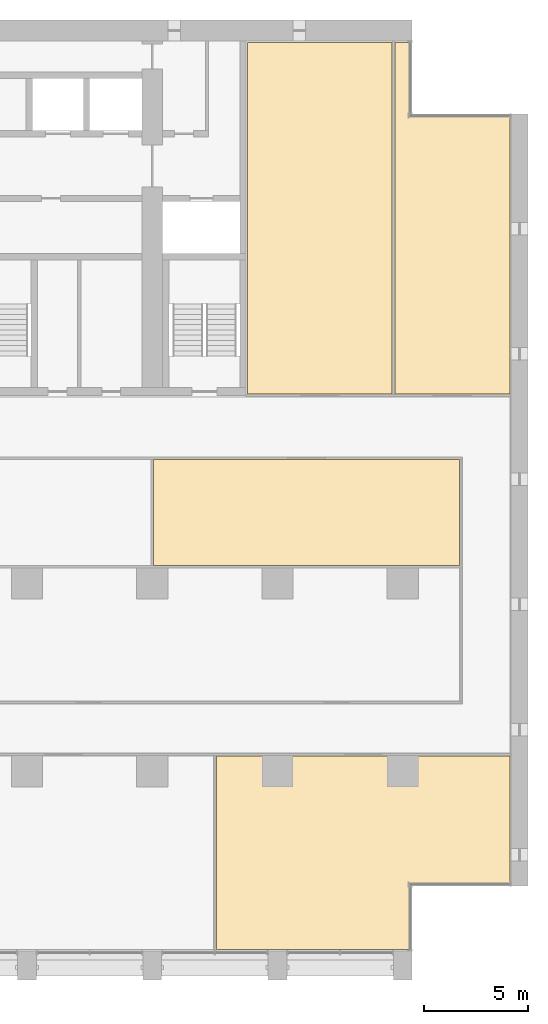
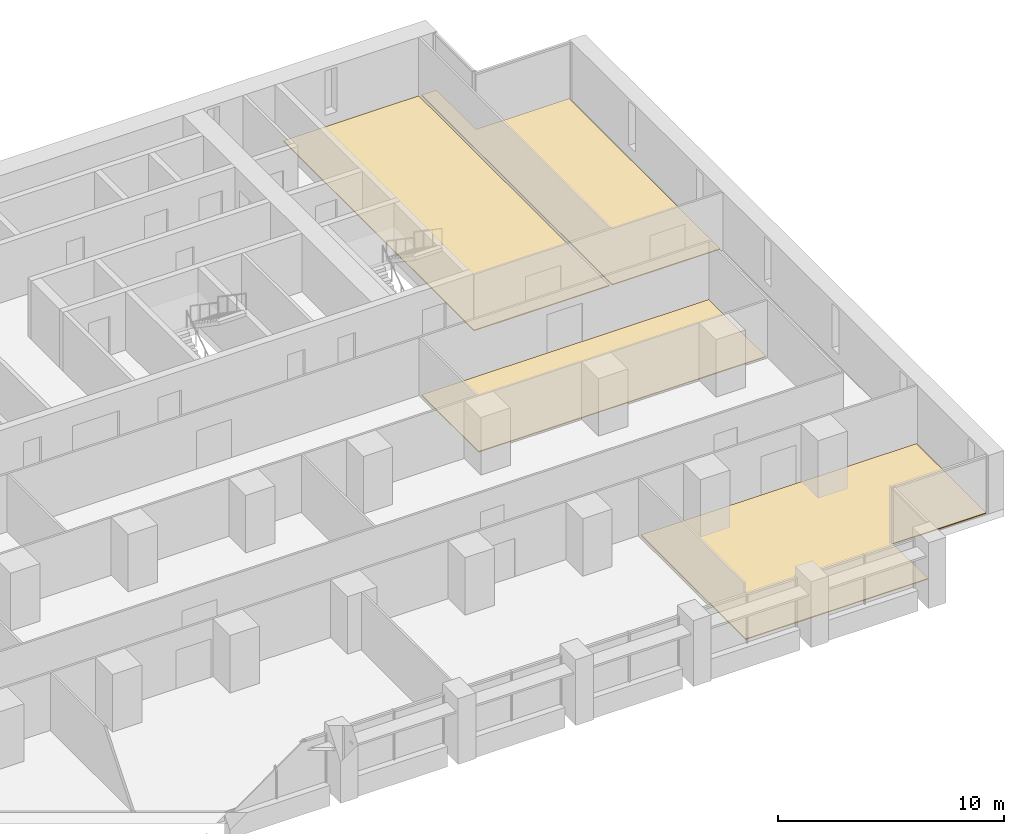
# One storey, part 18 of 18: 4 coverings.
"""IFC4 building model written with IfcOpenShell, lengths in metres."""

import ifcopenshell
import ifcopenshell.guid

model = None  # the IFC model being written
_history = None  # IfcOwnerHistory: only IFC2X3 demands one
_inside = {}  # id of a spatial element -> (the spatial element, [elements in it])
_under = {}  # id of a project, library or spatial element -> (it, [spatial elements below it])
_declared = {}  # id of a project -> (the project, [libraries it declares])
_typed = {}  # id of a type object -> (the type object, [elements of that type])
_made_of = {}  # id of a material, layer set ... -> (it, [elements and type objects made of it])


def new_model(schema):
    """Start an empty IFC model of exactly this schema.

    Asked for "IFC4X3", IfcOpenShell would pick the latest addendum, in which some entities
    have other attributes; the version numbers below select the first issue.
    IFC2X3 requires an IfcOwnerHistory on every rooted entity: one is made here for all.
    """
    global model, _history
    if schema == "IFC4X3":
        model = ifcopenshell.file(schema_version=(4, 3, 0, 0))
    else:
        model = ifcopenshell.file(schema=schema)
    _inside.clear()
    _under.clear()
    _declared.clear()
    _typed.clear()
    _made_of.clear()
    _history = None
    if model.schema == "IFC2X3":
        org = make("IfcOrganization", Name="unknown")
        user = make(
            "IfcPersonAndOrganization",
            ThePerson=make("IfcPerson", FamilyName="unknown"),
            TheOrganization=org,
        )
        app = make(
            "IfcApplication",
            ApplicationDeveloper=org,
            Version="unknown",
            ApplicationFullName="unknown",
            ApplicationIdentifier="unknown",
        )
        _history = make(
            "IfcOwnerHistory",
            OwningUser=user,
            OwningApplication=app,
            ChangeAction="ADDED",
            CreationDate=0,
        )
    return model


def make(cls, **values):
    """One entity of the class cls with the attributes given. An attribute that is None is left unset."""
    return model.create_entity(
        cls, **{name: value for name, value in values.items() if value is not None}
    )


def rooted(cls, **values):
    """An entity with a GlobalId (a new one), such as an element, a storey or a relation."""
    return make(cls, GlobalId=ifcopenshell.guid.new(), OwnerHistory=_history, **values)


def si_unit(unit_type, name, prefix=None):
    """IfcSIUnit, for example si_unit("LENGTHUNIT", "METRE", prefix="MILLI")."""
    return make("IfcSIUnit", UnitType=unit_type, Prefix=prefix, Name=name)


def assignment(units):
    """IfcUnitAssignment: the units of a project."""
    return None if units is None else make("IfcUnitAssignment", Units=units)


def point(xyz):
    """IfcCartesianPoint."""
    return None if xyz is None else make("IfcCartesianPoint", Coordinates=xyz)


def direction(xyz):
    """IfcDirection."""
    return None if xyz is None else make("IfcDirection", DirectionRatios=xyz)


def frame(location, z_axis=None, x_axis=None):
    """IfcAxis2Placement3D, a coordinate frame: its origin and axes. An axis left out is left unset."""
    return make(
        "IfcAxis2Placement3D",
        Location=point(location),
        Axis=direction(z_axis),
        RefDirection=direction(x_axis),
    )


def origin():
    """The frame at (0, 0, 0) with its axes left unset."""
    return frame((0.0, 0.0, 0.0))


def place(relative_to, where):
    """IfcLocalPlacement: puts the frame where relative to a parent placement (None: the world)."""
    return make(
        "IfcLocalPlacement", PlacementRelTo=relative_to, RelativePlacement=where
    )


def context(
    kind, dimensions, precision=None, world=None, true_north=None, identifier=None
):
    """IfcGeometricRepresentationContext, for example the 3D "Model" context."""
    return make(
        "IfcGeometricRepresentationContext",
        ContextIdentifier=identifier,
        ContextType=kind,
        CoordinateSpaceDimension=dimensions,
        Precision=precision,
        WorldCoordinateSystem=world,
        TrueNorth=true_north,
    )


def subcontext(parent, identifier, kind, view, scale=None):
    """IfcGeometricRepresentationSubContext, for example "Body" below "Model"."""
    return make(
        "IfcGeometricRepresentationSubContext",
        ContextIdentifier=identifier,
        ContextType=kind,
        ParentContext=parent,
        TargetScale=scale,
        TargetView=view,
    )


def project(units=None, contexts=None):
    """IfcProject with its units and contexts."""
    return rooted(
        "IfcProject",
        Name="project",
        RepresentationContexts=contexts,
        UnitsInContext=assignment(units),
    )


def spatial(cls, under=None, at=None, **own):
    """A site, building, storey or space (cls), placed at a placement, below another one or the project."""
    s = rooted(cls, ObjectPlacement=at, **own)
    if under is not None:
        _under.setdefault(under.id(), (under, []))[1].append(s)
    return s


def polyline(points):
    """IfcPolyline through the points."""
    return make("IfcPolyline", Points=[point(p) for p in points])


def outline(outer, holes=None, kind="AREA"):
    """IfcArbitraryClosedProfileDef: a profile drawn as a closed curve; with holes, ...WithVoids."""
    if holes is None:
        return make("IfcArbitraryClosedProfileDef", ProfileType=kind, OuterCurve=outer)
    return make(
        "IfcArbitraryProfileDefWithVoids",
        ProfileType=kind,
        OuterCurve=outer,
        InnerCurves=holes,
    )


def extrude(swept, where, along, depth):
    """IfcExtrudedAreaSolid: the profile swept, set in the frame where, extruded along a direction by depth."""
    return make(
        "IfcExtrudedAreaSolid",
        SweptArea=swept,
        Position=where,
        ExtrudedDirection=direction(along),
        Depth=depth,
    )


def shape(context_of_items, identifier, shape_type, items):
    """IfcShapeRepresentation: the items that make up one representation, for example the "Body"."""
    return make(
        "IfcShapeRepresentation",
        ContextOfItems=context_of_items,
        RepresentationIdentifier=identifier,
        RepresentationType=shape_type,
        Items=items,
    )


def material(Name=None, Category=None):
    """IfcMaterial."""
    return make("IfcMaterial", Name=Name, Category=Category)


def layer(
    of_material, thickness, ventilated=None, Name=None, Category=None, Priority=None
):
    """IfcMaterialLayer: one layer of a wall or slab, of a material (None: an air gap)."""
    return make(
        "IfcMaterialLayer",
        Material=of_material,
        LayerThickness=thickness,
        IsVentilated=ventilated,
        Name=Name,
        Category=Category,
        Priority=Priority,
    )


def layer_set(layers, Name=None):
    """IfcMaterialLayerSet."""
    return make("IfcMaterialLayerSet", MaterialLayers=layers, LayerSetName=Name)


def made_of(thing, what):
    """Note that an element or type object is made of a material, layer set ...; save() writes the relation."""
    if what is not None:
        _made_of.setdefault(what.id(), (what, []))[1].append(thing)
    return thing


def type_object(cls, material=None, **own):
    """A type object (cls), such as IfcWallType, which elements share."""
    return made_of(rooted(cls, **own), material)


def element(
    cls,
    number,
    at=None,
    inside=None,
    cuts=None,
    type_object=None,
    material=None,
    context=None,
    identifier="Body",
    shape_type=None,
    held_by="IfcProductDefinitionShape",
    body=None,
    shapes=None,
    **own,
):
    """One element of the class cls, such as IfcWall. Its Tag is "e" and its number.

    at: its placement. inside: the storey or other place that contains it. cuts: it is an
    opening in that element (IfcRelVoidsElement). A single representation is given by context,
    identifier, shape_type and body (its items); several are given by shapes. held_by: the class
    of the entity that holds the representations. save() writes the other relations.
    """
    e = rooted(cls, Tag="e%d" % number, ObjectPlacement=at, **own)
    if body is not None:
        shapes = [shape(context, identifier, shape_type, body)]
    if shapes is not None:
        e.Representation = make(held_by, Representations=shapes)
    if inside is not None:
        _inside.setdefault(inside.id(), (inside, []))[1].append(e)
    if cuts is not None:
        rooted(
            "IfcRelVoidsElement", RelatingBuildingElement=cuts, RelatedOpeningElement=e
        )
    if type_object is not None:
        _typed.setdefault(type_object.id(), (type_object, []))[1].append(e)
    return made_of(e, material)


def aggregate(whole, parts):
    """IfcRelAggregates: a whole, such as a stair, and the parts it consists of."""
    return rooted("IfcRelAggregates", RelatingObject=whole, RelatedObjects=parts)


def save(model, path):
    """Write the relations noted so far, then the file.

    IfcRelAggregates (storeys below a building ...), IfcRelContainedInSpatialStructure (elements
    in a storey), IfcRelDefinesByType, IfcRelAssociatesMaterial and IfcRelDeclares: one each for
    every whole, place, type object, material and project.
    """
    for whole, parts in _under.values():
        aggregate(whole, parts)
    for where, things in _inside.values():
        rooted(
            "IfcRelContainedInSpatialStructure",
            RelatedElements=things,
            RelatingStructure=where,
        )
    for kind, things in _typed.values():
        rooted("IfcRelDefinesByType", RelatedObjects=things, RelatingType=kind)
    for what, things in _made_of.values():
        rooted("IfcRelAssociatesMaterial", RelatedObjects=things, RelatingMaterial=what)
    for by, libraries in _declared.values():
        rooted("IfcRelDeclares", RelatingContext=by, RelatedDefinitions=libraries)
    model.write(path)


model = new_model("IFC4")

# Units and contexts
model_context = context("Model", 3, precision=1e-05, world=origin(), true_north=direction((0.0, 1.0)))
body_context = subcontext(model_context, "Body", "Model", "MODEL_VIEW")
ifc_project = project(units=[si_unit("LENGTHUNIT", "METRE"), si_unit("AREAUNIT", "SQUARE_METRE"), si_unit("VOLUMEUNIT", "CUBIC_METRE"), si_unit("PLANEANGLEUNIT", "RADIAN"), si_unit("MASSUNIT", "GRAM", prefix="KILO")], contexts=[model_context])

# Site, building, storey
site_placement = place(None, origin())
site = spatial("IfcSite", under=ifc_project, at=site_placement, CompositionType="ELEMENT")
building_placement = place(site_placement, origin())
building = spatial("IfcBuilding", under=site, at=building_placement, Name="Calvaro Tower", CompositionType="ELEMENT")
storey_placement = place(building_placement, frame((0.0, 0.0, 86.25)))
storey = spatial("IfcBuildingStorey", under=building, at=storey_placement, Name="L21", CompositionType="ELEMENT", Elevation=86.25)

# Coverings
ifc_material = material(Name="Cement screed with carpet tile finish")
ifc_layer = layer(ifc_material, 0.050048828125)
ifc_layer_set = layer_set([ifc_layer], Name="Cement screed with carpet tile finish")
covering_type = type_object("IfcCoveringType", Name="Floor finish 50", PredefinedType="FLOORING", material=ifc_layer_set)
covering_1_placement = place(storey_placement, origin())
element("IfcCovering", 1, at=covering_1_placement, inside=storey, type_object=covering_type, Name="Floor finish 14.06", PredefinedType="FLOORING", context=body_context, shape_type="SweptSolid", body=[
    extrude(outline(polyline([(77.1298828125, 4.570068359375), (72.3798828125, 4.570068359375), (72.3798828125, 1.469970703125), (63.070068359375, 1.469970703125), (63.070068359375, 10.72998046875), (77.1298828125, 10.72998046875), (77.1298828125, 4.570068359375)])), origin(), (0.0, 0.0, 1.0), 0.050048828125),
])
covering_2_placement = place(storey_placement, origin())
element("IfcCovering", 2, at=covering_2_placement, inside=storey, type_object=covering_type, Name="Floor finish 14.16", PredefinedType="FLOORING", context=body_context, shape_type="SweptSolid", body=[
    extrude(outline(polyline([(60.070068359375, 19.8701171875), (60.070068359375, 24.929931640625), (74.72998046875, 24.929931640625), (74.72998046875, 19.8701171875), (60.070068359375, 19.8701171875)])), origin(), (0.0, 0.0, 1.0), 0.050048828125),
])
covering_3_placement = place(storey_placement, origin())
element("IfcCovering", 3, at=covering_3_placement, inside=storey, type_object=covering_type, Name="Floor finish 14.19", PredefinedType="FLOORING", context=body_context, shape_type="SweptSolid", body=[
    extrude(outline(polyline([(71.47998046875, 28.070068359375), (64.570068359375, 28.070068359375), (64.570068359375, 44.929931640625), (71.47998046875, 44.929931640625), (71.47998046875, 28.070068359375)])), origin(), (0.0, 0.0, 1.0), 0.050048828125),
])
covering_4_placement = place(storey_placement, origin())
element("IfcCovering", 4, at=covering_4_placement, inside=storey, type_object=covering_type, Name="Floor finish 14.17", PredefinedType="FLOORING", context=body_context, shape_type="SweptSolid", body=[
    extrude(outline(polyline([(77.1298828125, 28.070068359375), (71.6201171875, 28.070068359375), (71.6201171875, 44.929931640625), (72.3798828125, 44.929931640625), (72.3798828125, 41.429931640625), (77.1298828125, 41.429931640625), (77.1298828125, 28.070068359375)])), origin(), (0.0, 0.0, 1.0), 0.050048828125),
])

save(model, "model.ifc")
